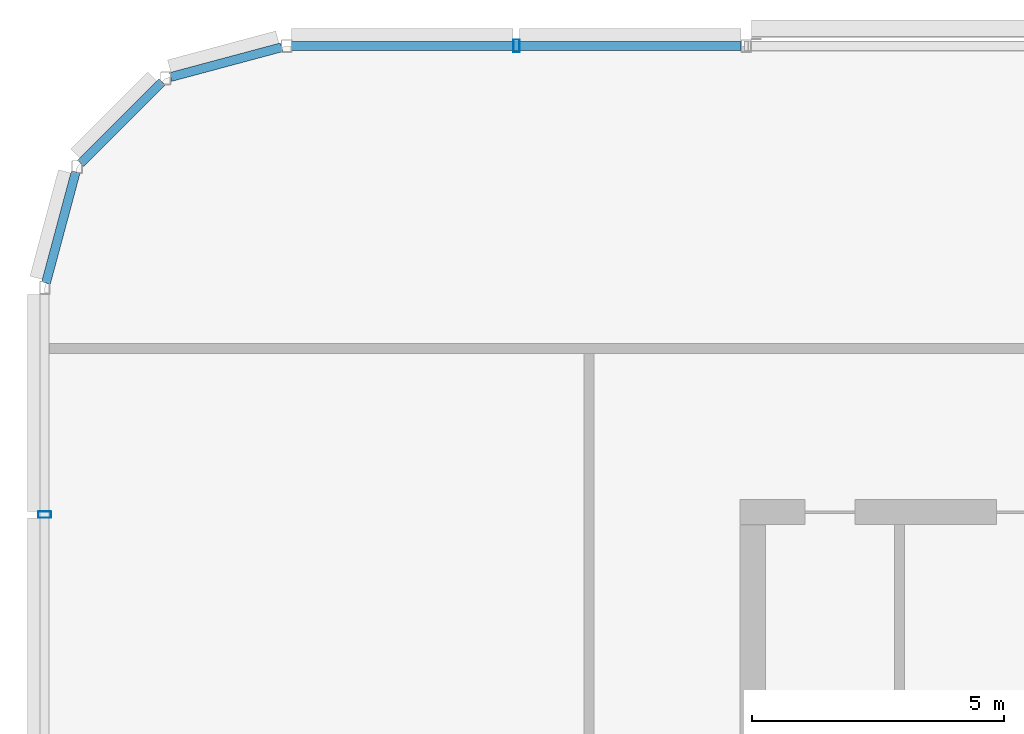
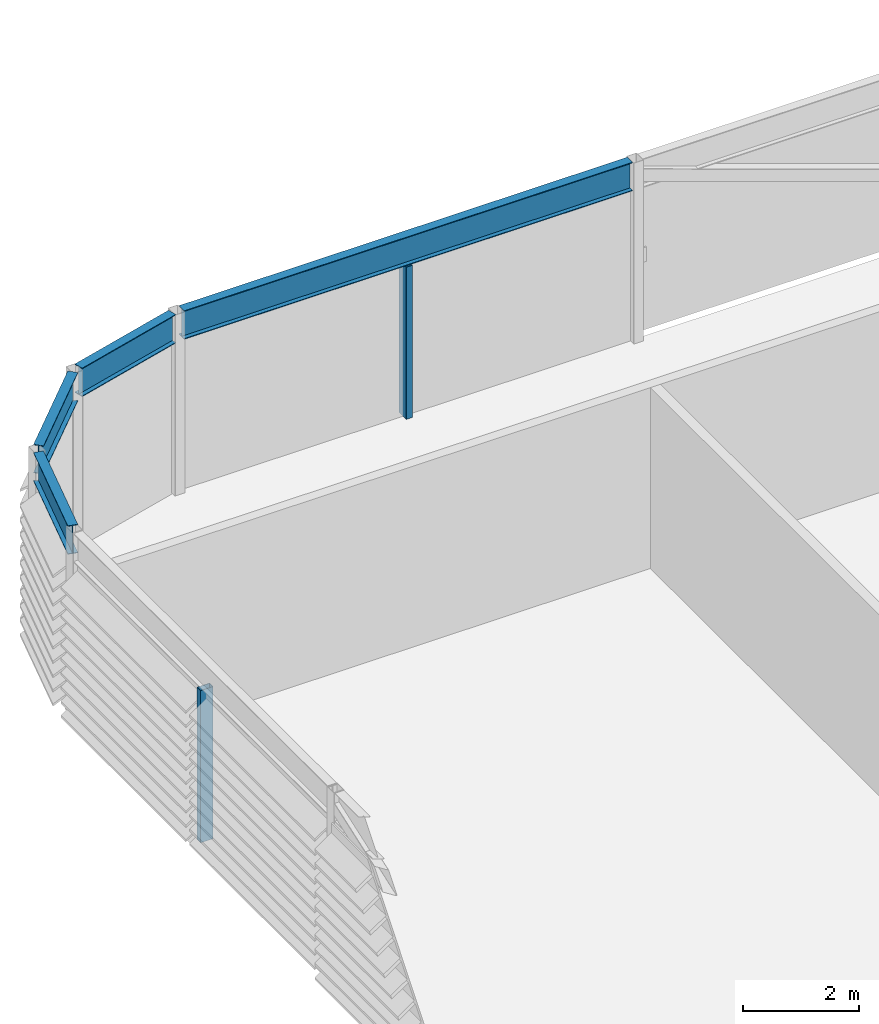
# One storey, part 11 of 28: 4 beams, 2 members.
"""IFC4 building model written with IfcOpenShell, lengths in metres."""

from ifc_helpers import new_model, si_unit, direction, frame, origin, origin_2d, place, context, subcontext, project, spatial, hollow_rectangle, i_section, extrude, material, material_profile, profile_set, type_object, element, save


model = new_model("IFC4")

# Units and contexts
model_context = context("Model", 3, precision=1e-05, world=origin(), true_north=direction((0.0, 1.0)))
body_context = subcontext(model_context, "Body", "Model", "MODEL_VIEW")
ifc_project = project(units=[si_unit("LENGTHUNIT", "METRE"), si_unit("AREAUNIT", "SQUARE_METRE"), si_unit("VOLUMEUNIT", "CUBIC_METRE"), si_unit("PLANEANGLEUNIT", "RADIAN"), si_unit("MASSUNIT", "GRAM", prefix="KILO")], contexts=[model_context])

# Site, building, storey
site_placement = place(None, origin())
site = spatial("IfcSite", under=ifc_project, at=site_placement, CompositionType="ELEMENT")
building_placement = place(site_placement, origin())
building = spatial("IfcBuilding", under=site, at=building_placement, Name="Madar Terraces", CompositionType="ELEMENT")
storey_placement = place(building_placement, frame((0.0, 0.0, 310.10009765625)))
storey = spatial("IfcBuildingStorey", under=building, at=storey_placement, Name="L80", CompositionType="ELEMENT", Elevation=310.10009765625)

# Beams
ifc_material_1 = material(Name="Steel ASTM A992 Grade 50", Category="steel")
ifc_material_profile_1 = material_profile(ifc_material_1, i_section(OverallWidth=0.1787109375, OverallDepth=0.60205078125, WebThickness=0.010986328125, FlangeThickness=0.014892578125, at=origin_2d()), Name="W24x62")
ifc_profile_set_1 = profile_set([ifc_material_profile_1], Name="Steel ASTM A992 Grade 50")
beam_type = type_object("IfcBeamType", Name="CF2 W24x62", PredefinedType="BEAM", material=ifc_profile_set_1)
beam_1_placement = place(storey_placement, frame((15.018310546875, 46.800048828125, 3.4990234375), z_axis=(-1.0, 0.0, 0.0), x_axis=(0.0, -1.0, 0.0)))
element("IfcBeam", 1, at=beam_1_placement, inside=storey, type_object=beam_type, Name="Crown frame ring beam CF2", PredefinedType="BEAM", context=body_context, shape_type="SweptSolid", body=[
    extrude(i_section(OverallWidth=0.1787109375, OverallDepth=0.60205078125, WebThickness=0.010986328125, FlangeThickness=0.014892578125, at=origin_2d()), origin(), (0.0, 0.0, 1.0), 8.916748046875),
])
beam_2_placement = place(storey_placement, frame((5.90185546875, 46.773681640625, 3.4990234375), z_axis=(-0.965912700012, -0.258868028067, 0.0), x_axis=(0.258868028067, -0.965912700012, 0.0)))
element("IfcBeam", 2, at=beam_2_placement, inside=storey, type_object=beam_type, Name="Crown frame ring beam CF2", PredefinedType="BEAM", context=body_context, shape_type="SweptSolid", body=[
    extrude(i_section(OverallWidth=0.1787109375, OverallDepth=0.60205078125, WebThickness=0.010986328125, FlangeThickness=0.014892578125, at=origin_2d()), origin(), (0.0, 0.0, 1.0), 2.281494140625),
])
beam_3_placement = place(storey_placement, frame((3.528076171875, 46.0849609375, 3.4990234375), z_axis=(-0.707106781187, -0.707106781187, 0.0), x_axis=(0.707106781187, -0.707106781187, 0.0)))
element("IfcBeam", 3, at=beam_3_placement, inside=storey, type_object=beam_type, Name="Crown frame ring beam CF2", PredefinedType="BEAM", context=body_context, shape_type="SweptSolid", body=[
    extrude(i_section(OverallWidth=0.1787109375, OverallDepth=0.60205078125, WebThickness=0.010986328125, FlangeThickness=0.014892578125, at=origin_2d()), origin(), (0.0, 0.0, 1.0), 2.28125),
])
beam_4_placement = place(storey_placement, frame((1.81689453125, 44.3017578125, 3.4990234375), z_axis=(-0.258868028067, -0.965912700012, 0.0), x_axis=(0.965912700012, -0.258868028067, 0.0)))
element("IfcBeam", 4, at=beam_4_placement, inside=storey, type_object=beam_type, Name="Crown frame ring beam CF2", PredefinedType="BEAM", context=body_context, shape_type="SweptSolid", body=[
    extrude(i_section(OverallWidth=0.1787109375, OverallDepth=0.60205078125, WebThickness=0.010986328125, FlangeThickness=0.014892578125, at=origin_2d()), origin(), (0.0, 0.0, 1.0), 2.281494140625),
])

# Members
ifc_material_2 = material(Name="Steel ASTM A500 Grade C", Category="steel")
ifc_material_profile_2 = material_profile(ifc_material_2, hollow_rectangle(XDim=0.126953125, YDim=0.25390625, WallThickness=0.00634765625, InnerFilletRadius=0.0029296875, OuterFilletRadius=0.0087890625, at=origin_2d()), Name="HSS10x5x.25")
ifc_profile_set_2 = profile_set([ifc_material_profile_2], Name="Steel ASTM A500 Grade C")
member_type = type_object("IfcMemberType", Name="LS2 HSS10x5x.25", PredefinedType="POST", material=ifc_profile_set_2)
for number, where, z_axis, x_axis, name in (
    (5, (10.56005859375, 46.800048828125, 0.0), (0.0, 0.0, 1.0), (-1.0, 0.0, 0.0), "Crown louvre post LS2"),
    (6, (1.199951171875, 37.5, 0.0), (0.0, 0.0, 1.0), (0.0, -1.0, 0.0), "Crown louvre post LS2"),
):
    element("IfcMember", number, at=place(storey_placement, frame(where, z_axis=z_axis, x_axis=x_axis)), inside=storey, type_object=member_type, Name=name, PredefinedType="POST", context=body_context, shape_type="SweptSolid", body=[
        extrude(hollow_rectangle(XDim=0.126953125, YDim=0.25390625, WallThickness=0.00634765625, InnerFilletRadius=0.0029296875, OuterFilletRadius=0.0087890625, at=origin_2d()), origin(), (0.0, 0.0, 1.0), 3.197998046875),
    ])

save(model, "model.ifc")
